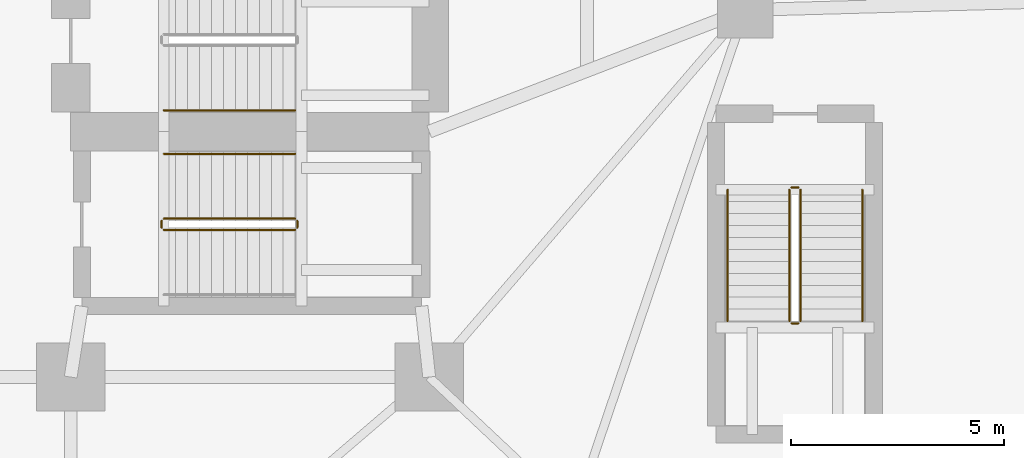
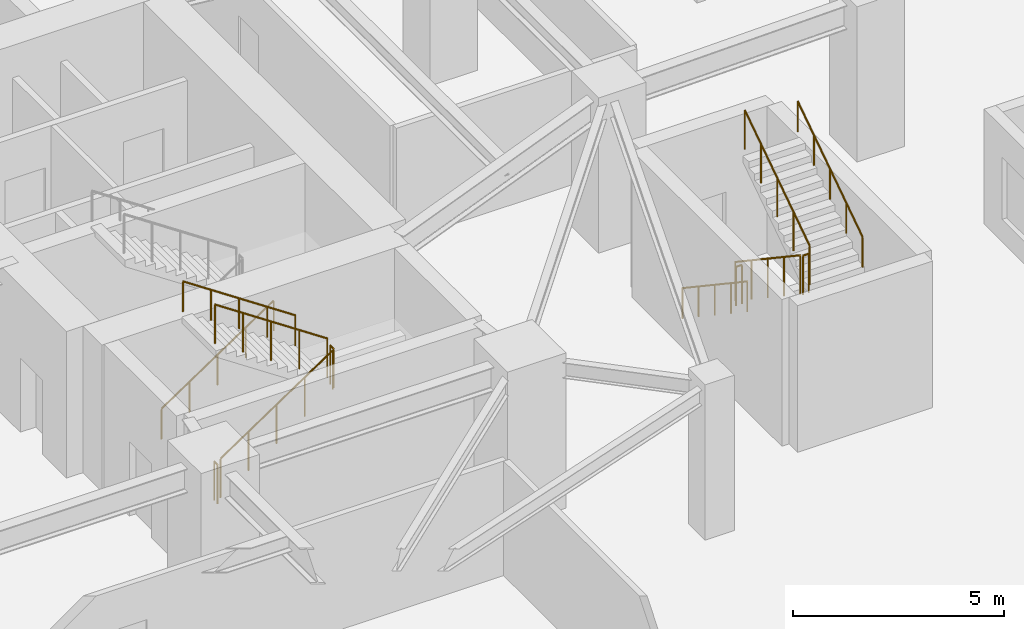
# One storey, part 18 of 23: 12 railings.
"""IFC4 building model written with IfcOpenShell, lengths in metres."""

import ifcopenshell
import ifcopenshell.guid

model = None  # the IFC model being written
_history = None  # IfcOwnerHistory: only IFC2X3 demands one
_inside = {}  # id of a spatial element -> (the spatial element, [elements in it])
_under = {}  # id of a project, library or spatial element -> (it, [spatial elements below it])
_declared = {}  # id of a project -> (the project, [libraries it declares])
_typed = {}  # id of a type object -> (the type object, [elements of that type])
_made_of = {}  # id of a material, layer set ... -> (it, [elements and type objects made of it])


def new_model(schema):
    """Start an empty IFC model of exactly this schema.

    Asked for "IFC4X3", IfcOpenShell would pick the latest addendum, in which some entities
    have other attributes; the version numbers below select the first issue.
    IFC2X3 requires an IfcOwnerHistory on every rooted entity: one is made here for all.
    """
    global model, _history
    if schema == "IFC4X3":
        model = ifcopenshell.file(schema_version=(4, 3, 0, 0))
    else:
        model = ifcopenshell.file(schema=schema)
    _inside.clear()
    _under.clear()
    _declared.clear()
    _typed.clear()
    _made_of.clear()
    _history = None
    if model.schema == "IFC2X3":
        org = make("IfcOrganization", Name="unknown")
        user = make(
            "IfcPersonAndOrganization",
            ThePerson=make("IfcPerson", FamilyName="unknown"),
            TheOrganization=org,
        )
        app = make(
            "IfcApplication",
            ApplicationDeveloper=org,
            Version="unknown",
            ApplicationFullName="unknown",
            ApplicationIdentifier="unknown",
        )
        _history = make(
            "IfcOwnerHistory",
            OwningUser=user,
            OwningApplication=app,
            ChangeAction="ADDED",
            CreationDate=0,
        )
    return model


def make(cls, **values):
    """One entity of the class cls with the attributes given. An attribute that is None is left unset."""
    return model.create_entity(
        cls, **{name: value for name, value in values.items() if value is not None}
    )


def rooted(cls, **values):
    """An entity with a GlobalId (a new one), such as an element, a storey or a relation."""
    return make(cls, GlobalId=ifcopenshell.guid.new(), OwnerHistory=_history, **values)


def si_unit(unit_type, name, prefix=None):
    """IfcSIUnit, for example si_unit("LENGTHUNIT", "METRE", prefix="MILLI")."""
    return make("IfcSIUnit", UnitType=unit_type, Prefix=prefix, Name=name)


def assignment(units):
    """IfcUnitAssignment: the units of a project."""
    return None if units is None else make("IfcUnitAssignment", Units=units)


def point(xyz):
    """IfcCartesianPoint."""
    return None if xyz is None else make("IfcCartesianPoint", Coordinates=xyz)


def direction(xyz):
    """IfcDirection."""
    return None if xyz is None else make("IfcDirection", DirectionRatios=xyz)


def frame(location, z_axis=None, x_axis=None):
    """IfcAxis2Placement3D, a coordinate frame: its origin and axes. An axis left out is left unset."""
    return make(
        "IfcAxis2Placement3D",
        Location=point(location),
        Axis=direction(z_axis),
        RefDirection=direction(x_axis),
    )


def frame_2d(location, x_axis=None):
    """IfcAxis2Placement2D, a coordinate frame in the plane: its origin and x axis."""
    return make(
        "IfcAxis2Placement2D", Location=point(location), RefDirection=direction(x_axis)
    )


def origin():
    """The frame at (0, 0, 0) with its axes left unset."""
    return frame((0.0, 0.0, 0.0))


def origin_2d():
    """The frame at (0, 0) in the plane with its x axis left unset."""
    return frame_2d((0.0, 0.0))


def place(relative_to, where):
    """IfcLocalPlacement: puts the frame where relative to a parent placement (None: the world)."""
    return make(
        "IfcLocalPlacement", PlacementRelTo=relative_to, RelativePlacement=where
    )


def context(
    kind, dimensions, precision=None, world=None, true_north=None, identifier=None
):
    """IfcGeometricRepresentationContext, for example the 3D "Model" context."""
    return make(
        "IfcGeometricRepresentationContext",
        ContextIdentifier=identifier,
        ContextType=kind,
        CoordinateSpaceDimension=dimensions,
        Precision=precision,
        WorldCoordinateSystem=world,
        TrueNorth=true_north,
    )


def subcontext(parent, identifier, kind, view, scale=None):
    """IfcGeometricRepresentationSubContext, for example "Body" below "Model"."""
    return make(
        "IfcGeometricRepresentationSubContext",
        ContextIdentifier=identifier,
        ContextType=kind,
        ParentContext=parent,
        TargetScale=scale,
        TargetView=view,
    )


def project(units=None, contexts=None):
    """IfcProject with its units and contexts."""
    return rooted(
        "IfcProject",
        Name="project",
        RepresentationContexts=contexts,
        UnitsInContext=assignment(units),
    )


def spatial(cls, under=None, at=None, **own):
    """A site, building, storey or space (cls), placed at a placement, below another one or the project."""
    s = rooted(cls, ObjectPlacement=at, **own)
    if under is not None:
        _under.setdefault(under.id(), (under, []))[1].append(s)
    return s


def profile(cls, at=None, kind="AREA", **sizes):
    """A parametric profile (cls). Its sizes go by their IFC names, for example OverallWidth=200.0."""
    return make(cls, ProfileType=kind, Position=at, **sizes)


def circle(**sizes):
    """IfcCircleProfileDef."""
    return profile("IfcCircleProfileDef", **sizes)


def extrude(swept, where, along, depth):
    """IfcExtrudedAreaSolid: the profile swept, set in the frame where, extruded along a direction by depth."""
    return make(
        "IfcExtrudedAreaSolid",
        SweptArea=swept,
        Position=where,
        ExtrudedDirection=direction(along),
        Depth=depth,
    )


def shape(context_of_items, identifier, shape_type, items):
    """IfcShapeRepresentation: the items that make up one representation, for example the "Body"."""
    return make(
        "IfcShapeRepresentation",
        ContextOfItems=context_of_items,
        RepresentationIdentifier=identifier,
        RepresentationType=shape_type,
        Items=items,
    )


def material(Name=None, Category=None):
    """IfcMaterial."""
    return make("IfcMaterial", Name=Name, Category=Category)


def made_of(thing, what):
    """Note that an element or type object is made of a material, layer set ...; save() writes the relation."""
    if what is not None:
        _made_of.setdefault(what.id(), (what, []))[1].append(thing)
    return thing


def type_object(cls, material=None, **own):
    """A type object (cls), such as IfcWallType, which elements share."""
    return made_of(rooted(cls, **own), material)


def element(
    cls,
    number,
    at=None,
    inside=None,
    cuts=None,
    type_object=None,
    material=None,
    context=None,
    identifier="Body",
    shape_type=None,
    held_by="IfcProductDefinitionShape",
    body=None,
    shapes=None,
    **own,
):
    """One element of the class cls, such as IfcWall. Its Tag is "e" and its number.

    at: its placement. inside: the storey or other place that contains it. cuts: it is an
    opening in that element (IfcRelVoidsElement). A single representation is given by context,
    identifier, shape_type and body (its items); several are given by shapes. held_by: the class
    of the entity that holds the representations. save() writes the other relations.
    """
    e = rooted(cls, Tag="e%d" % number, ObjectPlacement=at, **own)
    if body is not None:
        shapes = [shape(context, identifier, shape_type, body)]
    if shapes is not None:
        e.Representation = make(held_by, Representations=shapes)
    if inside is not None:
        _inside.setdefault(inside.id(), (inside, []))[1].append(e)
    if cuts is not None:
        rooted(
            "IfcRelVoidsElement", RelatingBuildingElement=cuts, RelatedOpeningElement=e
        )
    if type_object is not None:
        _typed.setdefault(type_object.id(), (type_object, []))[1].append(e)
    return made_of(e, material)


def aggregate(whole, parts):
    """IfcRelAggregates: a whole, such as a stair, and the parts it consists of."""
    return rooted("IfcRelAggregates", RelatingObject=whole, RelatedObjects=parts)


def save(model, path):
    """Write the relations noted so far, then the file.

    IfcRelAggregates (storeys below a building ...), IfcRelContainedInSpatialStructure (elements
    in a storey), IfcRelDefinesByType, IfcRelAssociatesMaterial and IfcRelDeclares: one each for
    every whole, place, type object, material and project.
    """
    for whole, parts in _under.values():
        aggregate(whole, parts)
    for where, things in _inside.values():
        rooted(
            "IfcRelContainedInSpatialStructure",
            RelatedElements=things,
            RelatingStructure=where,
        )
    for kind, things in _typed.values():
        rooted("IfcRelDefinesByType", RelatedObjects=things, RelatingType=kind)
    for what, things in _made_of.values():
        rooted("IfcRelAssociatesMaterial", RelatedObjects=things, RelatingMaterial=what)
    for by, libraries in _declared.values():
        rooted("IfcRelDeclares", RelatingContext=by, RelatedDefinitions=libraries)
    model.write(path)


model = new_model("IFC4")

# Units and contexts
model_context = context("Model", 3, precision=1e-05, world=origin(), true_north=direction((0.0, 1.0)))
body_context = subcontext(model_context, "Body", "Model", "MODEL_VIEW")
ifc_project = project(units=[si_unit("LENGTHUNIT", "METRE"), si_unit("AREAUNIT", "SQUARE_METRE"), si_unit("VOLUMEUNIT", "CUBIC_METRE"), si_unit("PLANEANGLEUNIT", "RADIAN"), si_unit("MASSUNIT", "GRAM", prefix="KILO")], contexts=[model_context])

# Site, building, storey
site_placement = place(None, origin())
site = spatial("IfcSite", under=ifc_project, at=site_placement, CompositionType="ELEMENT")
building_placement = place(site_placement, origin())
building = spatial("IfcBuilding", under=site, at=building_placement, Name="Qingluan Cross Belvedere", CompositionType="ELEMENT")
storey_placement = place(building_placement, frame((0.0, 0.0, 10.199951171875)))
storey = spatial("IfcBuildingStorey", under=building, at=storey_placement, Name="L03", CompositionType="ELEMENT", Elevation=10.199951171875)

# Railings
ifc_material_1 = material(Name="Brushed stainless steel tubular handrail", Category="steel")
railing_type_1 = type_object("IfcRailingType", Name="StairPitchHandrail_900", PredefinedType="HANDRAIL", material=ifc_material_1)
railing_1_placement = place(storey_placement, frame((6.179931640625, -6.35009765625, 0.1875)))
element("IfcRailing", 1, at=railing_1_placement, inside=storey, type_object=railing_type_1, Name="L03 ST2 stair handrail 1", PredefinedType="HANDRAIL", context=body_context, shape_type="SweptSolid", body=[
    extrude(circle(Radius=0.02392578125, at=origin_2d()), frame((0.0, 0.0, 0.8759765625), z_axis=(0.830913701846, 0.0, 0.55640131208), x_axis=(0.0, 1.0, 0.0)), (0.0, 0.0, 1.0), 3.706787109375),
    extrude(circle(Radius=0.02099609375, at=origin_2d()), origin(), (0.0, 0.0, 1.0), 0.851806640625),
    extrude(circle(Radius=0.02099609375, at=origin_2d()), frame((0.77001953125, 0.0, 0.515625)), (0.0, 0.0, 1.0), 0.851806640625),
    extrude(circle(Radius=0.02099609375, at=origin_2d()), frame((1.5400390625, 0.0, 1.03125)), (0.0, 0.0, 1.0), 0.851806640625),
    extrude(circle(Radius=0.02099609375, at=origin_2d()), frame((2.31005859375, 0.0, 1.546875)), (0.0, 0.0, 1.0), 0.851806640625),
    extrude(circle(Radius=0.02099609375, at=origin_2d()), frame((3.080078125, 0.0, 2.0625)), (0.0, 0.0, 1.0), 0.851806640625),
])
railing_2_placement = place(storey_placement, frame((9.260009765625, -7.3701171875, 2.4375)))
element("IfcRailing", 2, at=railing_2_placement, inside=storey, type_object=railing_type_1, Name="L03 ST4 stair handrail 2", PredefinedType="HANDRAIL", context=body_context, shape_type="SweptSolid", body=[
    extrude(circle(Radius=0.02392578125, at=origin_2d()), frame((0.0, 0.0, 0.8759765625), z_axis=(-0.830913701846, 0.0, 0.55640131208), x_axis=(0.0, -1.0, 0.0)), (0.0, 0.0, 1.0), 3.706787109375),
    extrude(circle(Radius=0.02099609375, at=origin_2d()), origin(), (0.0, 0.0, 1.0), 0.851806640625),
    extrude(circle(Radius=0.02099609375, at=origin_2d()), frame((-0.77001953125, 0.0, 0.515625)), (0.0, 0.0, 1.0), 0.851806640625),
    extrude(circle(Radius=0.02099609375, at=origin_2d()), frame((-1.5400390625, 0.0, 1.03125)), (0.0, 0.0, 1.0), 0.851806640625),
    extrude(circle(Radius=0.02099609375, at=origin_2d()), frame((-2.31005859375, 0.0, 1.546875)), (0.0, 0.0, 1.0), 0.851806640625),
    extrude(circle(Radius=0.02099609375, at=origin_2d()), frame((-3.080078125, 0.0, 2.0625)), (0.0, 0.0, 1.0), 0.851806640625),
])
railing_3_placement = place(storey_placement, frame((19.389892578125, -8.2099609375, 0.1875)))
element("IfcRailing", 3, at=railing_3_placement, inside=storey, type_object=railing_type_1, Name="L03 ST6 stair handrail 1", PredefinedType="HANDRAIL", context=body_context, shape_type="SweptSolid", body=[
    extrude(circle(Radius=0.02392578125, at=origin_2d()), frame((0.0, 0.0, 0.8759765625), z_axis=(0.0, -0.830913701846, 0.55640131208), x_axis=(1.0, 0.0, 0.0)), (0.0, 0.0, 1.0), 3.706787109375),
    extrude(circle(Radius=0.02099609375, at=origin_2d()), origin(), (0.0, 0.0, 1.0), 0.851806640625),
    extrude(circle(Radius=0.02099609375, at=origin_2d()), frame((0.0, -0.77001953125, 0.515625)), (0.0, 0.0, 1.0), 0.851806640625),
    extrude(circle(Radius=0.02099609375, at=origin_2d()), frame((0.0, -1.5400390625, 1.03125)), (0.0, 0.0, 1.0), 0.851806640625),
    extrude(circle(Radius=0.02099609375, at=origin_2d()), frame((0.0, -2.31005859375, 1.546875)), (0.0, 0.0, 1.0), 0.851806640625),
    extrude(circle(Radius=0.02099609375, at=origin_2d()), frame((0.0, -3.080078125, 2.0625)), (0.0, 0.0, 1.0), 0.851806640625),
])
railing_4_placement = place(storey_placement, frame((22.550048828125, -11.2900390625, 2.4375)))
element("IfcRailing", 4, at=railing_4_placement, inside=storey, type_object=railing_type_1, Name="L03 ST6 stair handrail 2", PredefinedType="HANDRAIL", context=body_context, shape_type="SweptSolid", body=[
    extrude(circle(Radius=0.02392578125, at=origin_2d()), frame((0.0, 0.0, 0.8759765625), z_axis=(0.0, 0.830913701846, 0.55640131208), x_axis=(-1.0, 0.0, 0.0)), (0.0, 0.0, 1.0), 3.706787109375),
    extrude(circle(Radius=0.02099609375, at=origin_2d()), origin(), (0.0, 0.0, 1.0), 0.851806640625),
    extrude(circle(Radius=0.02099609375, at=origin_2d()), frame((0.0, 0.77001953125, 0.515625)), (0.0, 0.0, 1.0), 0.851806640625),
    extrude(circle(Radius=0.02099609375, at=origin_2d()), frame((0.0, 1.5400390625, 1.03125)), (0.0, 0.0, 1.0), 0.851806640625),
    extrude(circle(Radius=0.02099609375, at=origin_2d()), frame((0.0, 2.31005859375, 1.546875)), (0.0, 0.0, 1.0), 0.851806640625),
    extrude(circle(Radius=0.02099609375, at=origin_2d()), frame((0.0, 3.080078125, 2.0625)), (0.0, 0.0, 1.0), 0.851806640625),
])
ifc_material_2 = material(Name="Painted steel stair well guard", Category="steel")
railing_type_2 = type_object("IfcRailingType", Name="StairWellGuard_1150", PredefinedType="BALUSTRADE", material=ifc_material_2)
railing_5_placement = place(storey_placement, frame((6.179931640625, -9.14990234375, 0.1875)))
element("IfcRailing", 5, at=railing_5_placement, inside=storey, type_object=railing_type_2, Name="L03 ST4 stair guard 1", PredefinedType="BALUSTRADE", context=body_context, shape_type="SweptSolid", body=[
    extrude(circle(Radius=0.02392578125, at=origin_2d()), frame((0.0, 0.0, 1.1259765625), z_axis=(0.830913701846, 0.0, 0.55640131208), x_axis=(0.0, 1.0, 0.0)), (0.0, 0.0, 1.0), 3.706787109375),
    extrude(circle(Radius=0.02099609375, at=origin_2d()), origin(), (0.0, 0.0, 1.0), 1.101806640625),
    extrude(circle(Radius=0.02099609375, at=origin_2d()), frame((0.77001953125, 0.0, 0.515625)), (0.0, 0.0, 1.0), 1.101806640625),
    extrude(circle(Radius=0.02099609375, at=origin_2d()), frame((1.5400390625, 0.0, 1.03125)), (0.0, 0.0, 1.0), 1.101806640625),
    extrude(circle(Radius=0.02099609375, at=origin_2d()), frame((2.31005859375, 0.0, 1.546875)), (0.0, 0.0, 1.0), 1.101806640625),
    extrude(circle(Radius=0.02099609375, at=origin_2d()), frame((3.080078125, 0.0, 2.0625)), (0.0, 0.0, 1.0), 1.101806640625),
])
railing_6_placement = place(storey_placement, frame((9.31005859375, -9.10009765625, 2.25)))
element("IfcRailing", 6, at=railing_6_placement, inside=storey, type_object=railing_type_2, Name="L03 ST4 stair guard 2", PredefinedType="BALUSTRADE", context=body_context, shape_type="SweptSolid", body=[
    extrude(circle(Radius=0.02392578125, at=origin_2d()), frame((0.0, 0.0, 1.1259765625), z_axis=(0.0, 1.0, 0.0), x_axis=(-1.0, 0.0, 0.0)), (0.0, 0.0, 1.0), 0.16015625),
    extrude(circle(Radius=0.02099609375, at=origin_2d()), origin(), (0.0, 0.0, 1.0), 1.101806640625),
    extrude(circle(Radius=0.02099609375, at=origin_2d()), frame((0.0, 0.16015625, 0.0)), (0.0, 0.0, 1.0), 1.101806640625),
])
railing_7_placement = place(storey_placement, frame((9.260009765625, -8.889892578125, 2.4375)))
element("IfcRailing", 7, at=railing_7_placement, inside=storey, type_object=railing_type_2, Name="L03 ST4 stair guard 3", PredefinedType="BALUSTRADE", context=body_context, shape_type="SweptSolid", body=[
    extrude(circle(Radius=0.02392578125, at=origin_2d()), frame((0.0, 0.0, 1.1259765625), z_axis=(-0.830913701846, 0.0, 0.55640131208), x_axis=(0.0, -1.0, 0.0)), (0.0, 0.0, 1.0), 3.706787109375),
    extrude(circle(Radius=0.02099609375, at=origin_2d()), origin(), (0.0, 0.0, 1.0), 1.101806640625),
    extrude(circle(Radius=0.02099609375, at=origin_2d()), frame((-0.77001953125, 0.0, 0.515625)), (0.0, 0.0, 1.0), 1.101806640625),
    extrude(circle(Radius=0.02099609375, at=origin_2d()), frame((-1.5400390625, 0.0, 1.03125)), (0.0, 0.0, 1.0), 1.101806640625),
    extrude(circle(Radius=0.02099609375, at=origin_2d()), frame((-2.31005859375, 0.0, 1.546875)), (0.0, 0.0, 1.0), 1.101806640625),
    extrude(circle(Radius=0.02099609375, at=origin_2d()), frame((-3.080078125, 0.0, 2.0625)), (0.0, 0.0, 1.0), 1.101806640625),
])
railing_8_placement = place(storey_placement, frame((6.1298828125, -9.10009765625, 0.0)))
element("IfcRailing", 8, at=railing_8_placement, inside=storey, type_object=railing_type_2, Name="L03 ST4 stair guard 4", PredefinedType="BALUSTRADE", context=body_context, shape_type="SweptSolid", body=[
    extrude(circle(Radius=0.02392578125, at=origin_2d()), frame((0.0, 0.0, 1.1259765625), z_axis=(0.0, 1.0, 0.0), x_axis=(-1.0, 0.0, 0.0)), (0.0, 0.0, 1.0), 0.16015625),
    extrude(circle(Radius=0.02099609375, at=origin_2d()), origin(), (0.0, 0.0, 1.0), 1.101806640625),
    extrude(circle(Radius=0.02099609375, at=origin_2d()), frame((0.0, 0.16015625, 0.0)), (0.0, 0.0, 1.0), 1.101806640625),
])
railing_9_placement = place(storey_placement, frame((20.840087890625, -8.2099609375, 0.1875)))
element("IfcRailing", 9, at=railing_9_placement, inside=storey, type_object=railing_type_2, Name="L03 ST6 stair guard 1", PredefinedType="BALUSTRADE", context=body_context, shape_type="SweptSolid", body=[
    extrude(circle(Radius=0.02392578125, at=origin_2d()), frame((0.0, 0.0, 1.1259765625), z_axis=(0.0, -0.830913701846, 0.55640131208), x_axis=(1.0, 0.0, 0.0)), (0.0, 0.0, 1.0), 3.706787109375),
    extrude(circle(Radius=0.02099609375, at=origin_2d()), origin(), (0.0, 0.0, 1.0), 1.101806640625),
    extrude(circle(Radius=0.02099609375, at=origin_2d()), frame((0.0, -0.77001953125, 0.515625)), (0.0, 0.0, 1.0), 1.101806640625),
    extrude(circle(Radius=0.02099609375, at=origin_2d()), frame((0.0, -1.5400390625, 1.03125)), (0.0, 0.0, 1.0), 1.101806640625),
    extrude(circle(Radius=0.02099609375, at=origin_2d()), frame((0.0, -2.31005859375, 1.546875)), (0.0, 0.0, 1.0), 1.101806640625),
    extrude(circle(Radius=0.02099609375, at=origin_2d()), frame((0.0, -3.080078125, 2.0625)), (0.0, 0.0, 1.0), 1.101806640625),
])
railing_10_placement = place(storey_placement, frame((20.889892578125, -11.340087890625, 2.25)))
element("IfcRailing", 10, at=railing_10_placement, inside=storey, type_object=railing_type_2, Name="L03 ST6 stair guard 2", PredefinedType="BALUSTRADE", context=body_context, shape_type="SweptSolid", body=[
    extrude(circle(Radius=0.02392578125, at=origin_2d()), frame((0.0, 0.0, 1.1259765625), z_axis=(1.0, 0.0, 0.0), x_axis=(0.0, 1.0, 0.0)), (0.0, 0.0, 1.0), 0.16015625),
    extrude(circle(Radius=0.02099609375, at=origin_2d()), origin(), (0.0, 0.0, 1.0), 1.101806640625),
    extrude(circle(Radius=0.02099609375, at=origin_2d()), frame((0.16015625, 0.0, 0.0)), (0.0, 0.0, 1.0), 1.101806640625),
])
railing_11_placement = place(storey_placement, frame((21.10009765625, -11.2900390625, 2.4375)))
element("IfcRailing", 11, at=railing_11_placement, inside=storey, type_object=railing_type_2, Name="L03 ST6 stair guard 3", PredefinedType="BALUSTRADE", context=body_context, shape_type="SweptSolid", body=[
    extrude(circle(Radius=0.02392578125, at=origin_2d()), frame((0.0, 0.0, 1.1259765625), z_axis=(0.0, 0.830913701846, 0.55640131208), x_axis=(-1.0, 0.0, 0.0)), (0.0, 0.0, 1.0), 3.706787109375),
    extrude(circle(Radius=0.02099609375, at=origin_2d()), origin(), (0.0, 0.0, 1.0), 1.101806640625),
    extrude(circle(Radius=0.02099609375, at=origin_2d()), frame((0.0, 0.77001953125, 0.515625)), (0.0, 0.0, 1.0), 1.101806640625),
    extrude(circle(Radius=0.02099609375, at=origin_2d()), frame((0.0, 1.5400390625, 1.03125)), (0.0, 0.0, 1.0), 1.101806640625),
    extrude(circle(Radius=0.02099609375, at=origin_2d()), frame((0.0, 2.31005859375, 1.546875)), (0.0, 0.0, 1.0), 1.101806640625),
    extrude(circle(Radius=0.02099609375, at=origin_2d()), frame((0.0, 3.080078125, 2.0625)), (0.0, 0.0, 1.0), 1.101806640625),
])
railing_12_placement = place(storey_placement, frame((20.889892578125, -8.159912109375, 0.0)))
element("IfcRailing", 12, at=railing_12_placement, inside=storey, type_object=railing_type_2, Name="L03 ST6 stair guard 4", PredefinedType="BALUSTRADE", context=body_context, shape_type="SweptSolid", body=[
    extrude(circle(Radius=0.02392578125, at=origin_2d()), frame((0.0, 0.0, 1.1259765625), z_axis=(1.0, 0.0, 0.0), x_axis=(0.0, 1.0, 0.0)), (0.0, 0.0, 1.0), 0.16015625),
    extrude(circle(Radius=0.02099609375, at=origin_2d()), origin(), (0.0, 0.0, 1.0), 1.101806640625),
    extrude(circle(Radius=0.02099609375, at=origin_2d()), frame((0.16015625, 0.0, 0.0)), (0.0, 0.0, 1.0), 1.101806640625),
])

save(model, "model.ifc")
